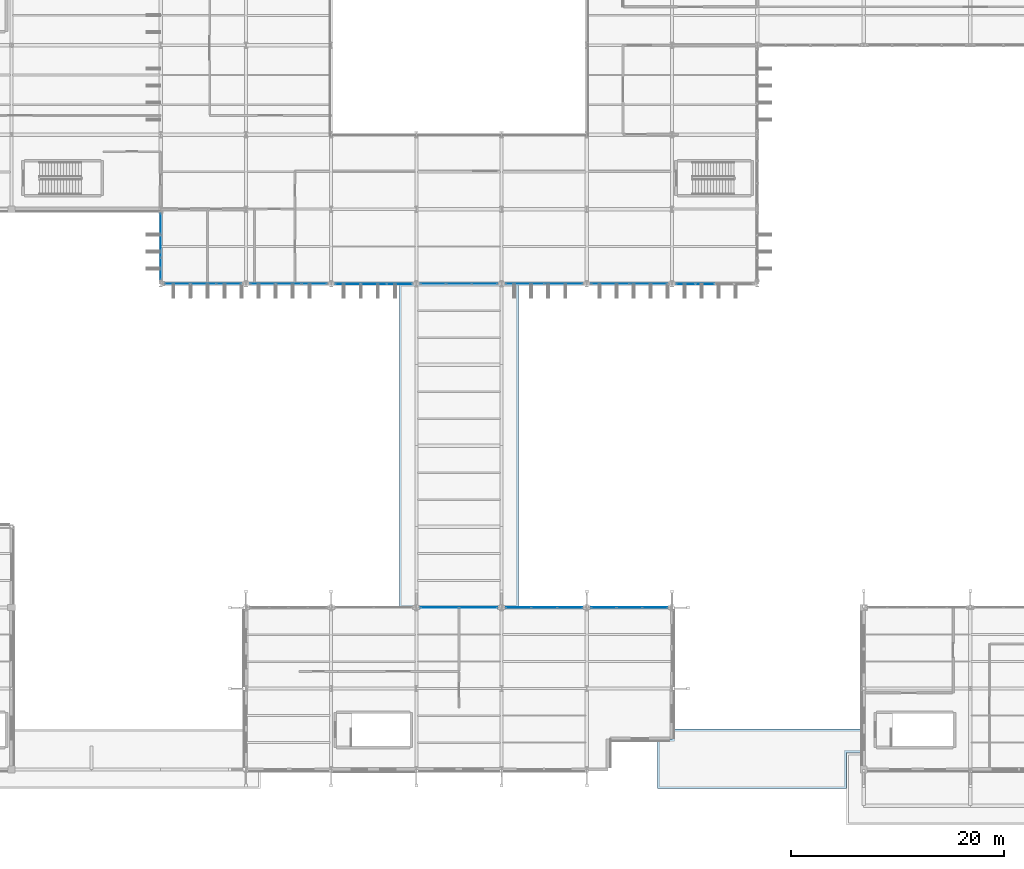
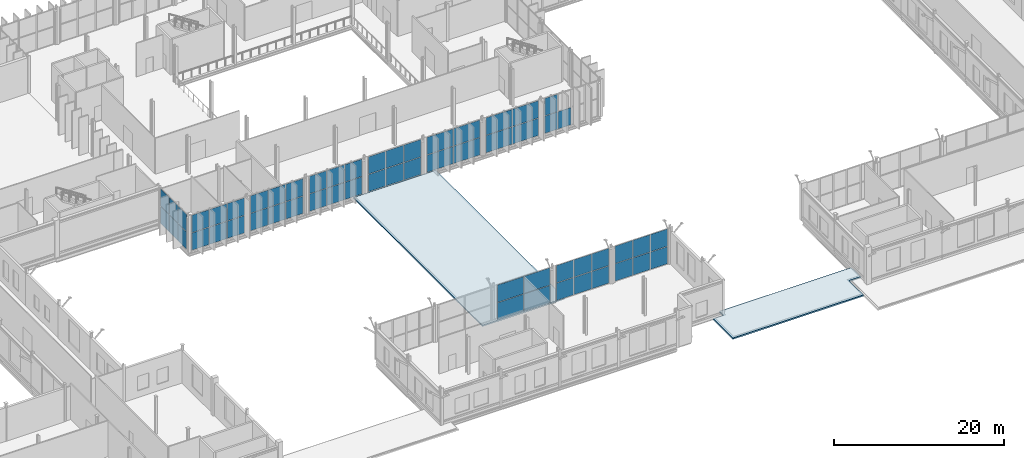
# One storey, part 100 of 147: 57 plates, 2 slabs, 11 elements without a shape of their own.
"""IFC4 building model written with IfcOpenShell, lengths in metres."""

from ifc_helpers import new_model, si_unit, direction, frame, origin, origin_2d, place, context, subcontext, project, spatial, polyline, rectangle, outline, extrude, material, layer, layer_set, type_object, element, aggregate, save


model = new_model("IFC4")

# Units and contexts
model_context = context("Model", 3, precision=1e-05, world=origin(), true_north=direction((0.0, 1.0)))
body_context = subcontext(model_context, "Body", "Model", "MODEL_VIEW")
ifc_project = project(units=[si_unit("LENGTHUNIT", "METRE"), si_unit("AREAUNIT", "SQUARE_METRE"), si_unit("VOLUMEUNIT", "CUBIC_METRE"), si_unit("PLANEANGLEUNIT", "RADIAN"), si_unit("MASSUNIT", "GRAM", prefix="KILO")], contexts=[model_context])

# Site, building, storey
site_placement = place(None, origin())
site = spatial("IfcSite", under=ifc_project, at=site_placement, CompositionType="ELEMENT")
building_placement = place(site_placement, origin())
building = spatial("IfcBuilding", under=site, at=building_placement, Name="Vekula Escarpment Museum", CompositionType="ELEMENT")
storey_placement = place(building_placement, frame((0.0, 0.0, 7.800048828125)))
storey = spatial("IfcBuildingStorey", under=building, at=storey_placement, Name="L02", CompositionType="ELEMENT", Elevation=7.800048828125)

# Curtain wall, plates
ifc_material_1 = material(Name="Aluminium thermally broken framing", Category="aluminium")
ifc_layer_1 = layer(ifc_material_1, 0.159912109375)
ifc_layer_set_1 = layer_set([ifc_layer_1], Name="Aluminium thermally broken framing")
curtain_wall_type_1 = type_object("IfcCurtainWallType", Name="CW-SYS-02", PredefinedType="NOTDEFINED", material=ifc_layer_set_1)
curtain_wall_1_placement = place(storey_placement, origin())
curtain_wall_1 = element("IfcCurtainWall", 1, at=curtain_wall_1_placement, inside=storey, type_object=curtain_wall_type_1, Name="Curtain Wall CW-L02-052", PredefinedType="NOTDEFINED")
ifc_material_2 = material(Name="Double solar-control low-E glass", Category="glass")
ifc_layer_2 = layer(ifc_material_2, 0.028076171875)
ifc_layer_set_2 = layer_set([ifc_layer_2], Name="Double solar-control low-E glass")
plate_type_1 = type_object("IfcPlateType", Name="CW-PNL-28", PredefinedType="CURTAIN_PANEL", material=ifc_layer_set_2)
plate_1_placement = place(storey_placement, frame((70.0, 51.177001953125, 0.06494140625), z_axis=(0.0, 0.0, 1.0), x_axis=(0.0, -1.0, 0.0)))
plate_1 = element("IfcPlate", 2, at=plate_1_placement, type_object=plate_type_1, Name="CW-02 panel 1.1", PredefinedType="CURTAIN_PANEL", context=body_context, shape_type="SweptSolid", body=[
    extrude(rectangle(XDim=1.995849609375, YDim=0.028076171875, at=origin_2d()), origin(), (0.0, 0.0, 1.0), 2.4775390625),
])
plate_2_placement = place(storey_placement, frame((70.0, 51.177001953125, 2.607421875), z_axis=(0.0, 0.0, 1.0), x_axis=(0.0, -1.0, 0.0)))
plate_2 = element("IfcPlate", 3, at=plate_2_placement, type_object=plate_type_1, Name="CW-02 panel 1.2", PredefinedType="CURTAIN_PANEL", context=body_context, shape_type="SweptSolid", body=[
    extrude(rectangle(XDim=1.995849609375, YDim=0.028076171875, at=origin_2d()), origin(), (0.0, 0.0, 1.0), 2.4775390625),
])
plate_3_placement = place(storey_placement, frame((70.0, 49.10009765625, 0.06494140625), z_axis=(0.0, 0.0, 1.0), x_axis=(0.0, -1.0, 0.0)))
plate_3 = element("IfcPlate", 4, at=plate_3_placement, type_object=plate_type_1, Name="CW-02 panel 2.1", PredefinedType="CURTAIN_PANEL", context=body_context, shape_type="SweptSolid", body=[
    extrude(rectangle(XDim=2.0283203125, YDim=0.028076171875, at=origin_2d()), origin(), (0.0, 0.0, 1.0), 2.4775390625),
])
plate_4_placement = place(storey_placement, frame((70.0, 49.10009765625, 2.607421875), z_axis=(0.0, 0.0, 1.0), x_axis=(0.0, -1.0, 0.0)))
plate_4 = element("IfcPlate", 5, at=plate_4_placement, type_object=plate_type_1, Name="CW-02 panel 2.2", PredefinedType="CURTAIN_PANEL", context=body_context, shape_type="SweptSolid", body=[
    extrude(rectangle(XDim=2.0283203125, YDim=0.028076171875, at=origin_2d()), origin(), (0.0, 0.0, 1.0), 2.4775390625),
])
plate_5_placement = place(storey_placement, frame((70.0, 47.02294921875, 0.06494140625), z_axis=(0.0, 0.0, 1.0), x_axis=(0.0, -1.0, 0.0)))
plate_5 = element("IfcPlate", 6, at=plate_5_placement, type_object=plate_type_1, Name="CW-02 panel 3.1", PredefinedType="CURTAIN_PANEL", context=body_context, shape_type="SweptSolid", body=[
    extrude(rectangle(XDim=1.995849609375, YDim=0.028076171875, at=origin_2d()), origin(), (0.0, 0.0, 1.0), 2.4775390625),
])
plate_6_placement = place(storey_placement, frame((70.0, 47.02294921875, 2.607421875), z_axis=(0.0, 0.0, 1.0), x_axis=(0.0, -1.0, 0.0)))
plate_6 = element("IfcPlate", 7, at=plate_6_placement, type_object=plate_type_1, Name="CW-02 panel 3.2", PredefinedType="CURTAIN_PANEL", context=body_context, shape_type="SweptSolid", body=[
    extrude(rectangle(XDim=1.995849609375, YDim=0.028076171875, at=origin_2d()), origin(), (0.0, 0.0, 1.0), 2.4775390625),
])
aggregate(curtain_wall_1, [plate_1, plate_2, plate_3, plate_4, plate_5, plate_6])

ifc_material_3 = material(Name="Aluminium thermally broken framing", Category="aluminium")
ifc_layer_3 = layer(ifc_material_3, 0.139892578125)
ifc_layer_set_3 = layer_set([ifc_layer_3], Name="Aluminium thermally broken framing")
curtain_wall_type_2 = type_object("IfcCurtainWallType", Name="CW-SYS-06", PredefinedType="NOTDEFINED", material=ifc_layer_set_3)
curtain_wall_2_placement = place(storey_placement, origin())
curtain_wall_2 = element("IfcCurtainWall", 8, at=curtain_wall_2_placement, inside=storey, type_object=curtain_wall_type_2, Name="Curtain Wall CW-L02-056", PredefinedType="NOTDEFINED")
plate_7_placement = place(storey_placement, frame((95.589599609375, 45.60009765625, 0.06494140625), z_axis=(0.0, 0.0, 1.0), x_axis=(1.0, 0.0, 0.0)))
plate_7 = element("IfcPlate", 9, at=plate_7_placement, type_object=plate_type_1, Name="CW-06 panel 1.1", PredefinedType="CURTAIN_PANEL", context=body_context, shape_type="SweptSolid", body=[
    extrude(rectangle(XDim=2.3291015625, YDim=0.028076171875, at=origin_2d()), origin(), (0.0, 0.0, 1.0), 2.4775390625),
])
plate_8_placement = place(storey_placement, frame((95.589599609375, 45.60009765625, 2.607421875), z_axis=(0.0, 0.0, 1.0), x_axis=(1.0, 0.0, 0.0)))
plate_8 = element("IfcPlate", 10, at=plate_8_placement, type_object=plate_type_1, Name="CW-06 panel 1.2", PredefinedType="CURTAIN_PANEL", context=body_context, shape_type="SweptSolid", body=[
    extrude(rectangle(XDim=2.3291015625, YDim=0.028076171875, at=origin_2d()), origin(), (0.0, 0.0, 1.0), 2.4775390625),
])
plate_9_placement = place(storey_placement, frame((98.0, 45.60009765625, 0.06494140625), z_axis=(0.0, 0.0, 1.0), x_axis=(1.0, 0.0, 0.0)))
plate_9 = element("IfcPlate", 11, at=plate_9_placement, type_object=plate_type_1, Name="CW-06 panel 2.1", PredefinedType="CURTAIN_PANEL", context=body_context, shape_type="SweptSolid", body=[
    extrude(rectangle(XDim=2.361572265625, YDim=0.028076171875, at=origin_2d()), origin(), (0.0, 0.0, 1.0), 2.4775390625),
])
plate_10_placement = place(storey_placement, frame((98.0, 45.60009765625, 2.607421875), z_axis=(0.0, 0.0, 1.0), x_axis=(1.0, 0.0, 0.0)))
plate_10 = element("IfcPlate", 12, at=plate_10_placement, type_object=plate_type_1, Name="CW-06 panel 2.2", PredefinedType="CURTAIN_PANEL", context=body_context, shape_type="SweptSolid", body=[
    extrude(rectangle(XDim=2.361572265625, YDim=0.028076171875, at=origin_2d()), origin(), (0.0, 0.0, 1.0), 2.4775390625),
])
plate_11_placement = place(storey_placement, frame((100.410400390625, 45.60009765625, 0.06494140625), z_axis=(0.0, 0.0, 1.0), x_axis=(1.0, 0.0, 0.0)))
plate_11 = element("IfcPlate", 13, at=plate_11_placement, type_object=plate_type_1, Name="CW-06 panel 3.1", PredefinedType="CURTAIN_PANEL", context=body_context, shape_type="SweptSolid", body=[
    extrude(rectangle(XDim=2.3291015625, YDim=0.028076171875, at=origin_2d()), origin(), (0.0, 0.0, 1.0), 2.4775390625),
])
plate_12_placement = place(storey_placement, frame((100.410400390625, 45.60009765625, 2.607421875), z_axis=(0.0, 0.0, 1.0), x_axis=(1.0, 0.0, 0.0)))
plate_12 = element("IfcPlate", 14, at=plate_12_placement, type_object=plate_type_1, Name="CW-06 panel 3.2", PredefinedType="CURTAIN_PANEL", context=body_context, shape_type="SweptSolid", body=[
    extrude(rectangle(XDim=2.3291015625, YDim=0.028076171875, at=origin_2d()), origin(), (0.0, 0.0, 1.0), 2.4775390625),
])
aggregate(curtain_wall_2, [plate_7, plate_8, plate_9, plate_10, plate_11, plate_12])

curtain_wall_3_placement = place(storey_placement, origin())
curtain_wall_3 = element("IfcCurtainWall", 15, at=curtain_wall_3_placement, inside=storey, type_object=curtain_wall_type_2, Name="Curtain Wall CW-L02-096", PredefinedType="NOTDEFINED")
plate_13_placement = place(storey_placement, frame((108.410400390625, 15.199951171875, 0.06494140625), z_axis=(0.0, 0.0, 1.0), x_axis=(-1.0, 0.0, 0.0)))
plate_13 = element("IfcPlate", 16, at=plate_13_placement, type_object=plate_type_1, Name="CW-06 panel 1.1", PredefinedType="CURTAIN_PANEL", context=body_context, shape_type="SweptSolid", body=[
    extrude(rectangle(XDim=2.3291015625, YDim=0.028076171875, at=origin_2d()), origin(), (0.0, 0.0, 1.0), 2.4775390625),
])
plate_14_placement = place(storey_placement, frame((108.410400390625, 15.199951171875, 2.607421875), z_axis=(0.0, 0.0, 1.0), x_axis=(-1.0, 0.0, 0.0)))
plate_14 = element("IfcPlate", 17, at=plate_14_placement, type_object=plate_type_1, Name="CW-06 panel 1.2", PredefinedType="CURTAIN_PANEL", context=body_context, shape_type="SweptSolid", body=[
    extrude(rectangle(XDim=2.3291015625, YDim=0.028076171875, at=origin_2d()), origin(), (0.0, 0.0, 1.0), 2.4775390625),
])
plate_15_placement = place(storey_placement, frame((106.0, 15.199951171875, 0.06494140625), z_axis=(0.0, 0.0, 1.0), x_axis=(-1.0, 0.0, 0.0)))
plate_15 = element("IfcPlate", 18, at=plate_15_placement, type_object=plate_type_1, Name="CW-06 panel 2.1", PredefinedType="CURTAIN_PANEL", context=body_context, shape_type="SweptSolid", body=[
    extrude(rectangle(XDim=2.361572265625, YDim=0.028076171875, at=origin_2d()), origin(), (0.0, 0.0, 1.0), 2.4775390625),
])
plate_16_placement = place(storey_placement, frame((106.0, 15.199951171875, 2.607421875), z_axis=(0.0, 0.0, 1.0), x_axis=(-1.0, 0.0, 0.0)))
plate_16 = element("IfcPlate", 19, at=plate_16_placement, type_object=plate_type_1, Name="CW-06 panel 2.2", PredefinedType="CURTAIN_PANEL", context=body_context, shape_type="SweptSolid", body=[
    extrude(rectangle(XDim=2.361572265625, YDim=0.028076171875, at=origin_2d()), origin(), (0.0, 0.0, 1.0), 2.4775390625),
])
plate_17_placement = place(storey_placement, frame((103.589599609375, 15.199951171875, 0.06494140625), z_axis=(0.0, 0.0, 1.0), x_axis=(-1.0, 0.0, 0.0)))
plate_17 = element("IfcPlate", 20, at=plate_17_placement, type_object=plate_type_1, Name="CW-06 panel 3.1", PredefinedType="CURTAIN_PANEL", context=body_context, shape_type="SweptSolid", body=[
    extrude(rectangle(XDim=2.3291015625, YDim=0.028076171875, at=origin_2d()), origin(), (0.0, 0.0, 1.0), 2.4775390625),
])
plate_18_placement = place(storey_placement, frame((103.589599609375, 15.199951171875, 2.607421875), z_axis=(0.0, 0.0, 1.0), x_axis=(-1.0, 0.0, 0.0)))
plate_18 = element("IfcPlate", 21, at=plate_18_placement, type_object=plate_type_1, Name="CW-06 panel 3.2", PredefinedType="CURTAIN_PANEL", context=body_context, shape_type="SweptSolid", body=[
    extrude(rectangle(XDim=2.3291015625, YDim=0.028076171875, at=origin_2d()), origin(), (0.0, 0.0, 1.0), 2.4775390625),
])
aggregate(curtain_wall_3, [plate_13, plate_14, plate_15, plate_16, plate_17, plate_18])

ifc_material_4 = material(Name="Aluminium thermally broken framing", Category="aluminium")
ifc_layer_4 = layer(ifc_material_4, 0.199951171875)
ifc_layer_set_4 = layer_set([ifc_layer_4], Name="Aluminium thermally broken framing")
curtain_wall_type_3 = type_object("IfcCurtainWallType", Name="CW-SYS-03", PredefinedType="NOTDEFINED", material=ifc_layer_set_4)
curtain_wall_4_placement = place(storey_placement, origin())
curtain_wall_4 = element("IfcCurtainWall", 22, at=curtain_wall_4_placement, inside=storey, type_object=curtain_wall_type_3, Name="Curtain Wall CW-L02-053", PredefinedType="NOTDEFINED")
ifc_material_5 = material(Name="Acoustic laminated double low-E glass", Category="glass")
ifc_layer_5 = layer(ifc_material_5, 0.031982421875)
ifc_layer_set_5 = layer_set([ifc_layer_5], Name="Acoustic laminated double low-E glass")
plate_type_2 = type_object("IfcPlateType", Name="CW-PNL-32", PredefinedType="CURTAIN_PANEL", material=ifc_layer_set_5)
plate_19_placement = place(storey_placement, frame((71.589599609375, 45.60009765625, 0.06494140625), z_axis=(0.0, 0.0, 1.0), x_axis=(1.0, 0.0, 0.0)))
plate_19 = element("IfcPlate", 23, at=plate_19_placement, type_object=plate_type_2, Name="CW-03 panel 1.1", PredefinedType="CURTAIN_PANEL", context=body_context, shape_type="SweptSolid", body=[
    extrude(rectangle(XDim=2.3291015625, YDim=0.031982421875, at=origin_2d()), origin(), (0.0, 0.0, 1.0), 2.4775390625),
])
plate_20_placement = place(storey_placement, frame((71.589599609375, 45.60009765625, 2.607421875), z_axis=(0.0, 0.0, 1.0), x_axis=(1.0, 0.0, 0.0)))
plate_20 = element("IfcPlate", 24, at=plate_20_placement, type_object=plate_type_2, Name="CW-03 panel 1.2", PredefinedType="CURTAIN_PANEL", context=body_context, shape_type="SweptSolid", body=[
    extrude(rectangle(XDim=2.3291015625, YDim=0.031982421875, at=origin_2d()), origin(), (0.0, 0.0, 1.0), 2.4775390625),
])
plate_21_placement = place(storey_placement, frame((74.0, 45.60009765625, 0.06494140625), z_axis=(0.0, 0.0, 1.0), x_axis=(1.0, 0.0, 0.0)))
plate_21 = element("IfcPlate", 25, at=plate_21_placement, type_object=plate_type_2, Name="CW-03 panel 2.1", PredefinedType="CURTAIN_PANEL", context=body_context, shape_type="SweptSolid", body=[
    extrude(rectangle(XDim=2.361572265625, YDim=0.031982421875, at=origin_2d()), origin(), (0.0, 0.0, 1.0), 2.4775390625),
])
plate_22_placement = place(storey_placement, frame((74.0, 45.60009765625, 2.607421875), z_axis=(0.0, 0.0, 1.0), x_axis=(1.0, 0.0, 0.0)))
plate_22 = element("IfcPlate", 26, at=plate_22_placement, type_object=plate_type_2, Name="CW-03 panel 2.2", PredefinedType="CURTAIN_PANEL", context=body_context, shape_type="SweptSolid", body=[
    extrude(rectangle(XDim=2.361572265625, YDim=0.031982421875, at=origin_2d()), origin(), (0.0, 0.0, 1.0), 2.4775390625),
])
plate_23_placement = place(storey_placement, frame((76.410400390625, 45.60009765625, 0.06494140625), z_axis=(0.0, 0.0, 1.0), x_axis=(1.0, 0.0, 0.0)))
plate_23 = element("IfcPlate", 27, at=plate_23_placement, type_object=plate_type_2, Name="CW-03 panel 3.1", PredefinedType="CURTAIN_PANEL", context=body_context, shape_type="SweptSolid", body=[
    extrude(rectangle(XDim=2.3291015625, YDim=0.031982421875, at=origin_2d()), origin(), (0.0, 0.0, 1.0), 2.4775390625),
])
plate_24_placement = place(storey_placement, frame((76.410400390625, 45.60009765625, 2.607421875), z_axis=(0.0, 0.0, 1.0), x_axis=(1.0, 0.0, 0.0)))
plate_24 = element("IfcPlate", 28, at=plate_24_placement, type_object=plate_type_2, Name="CW-03 panel 3.2", PredefinedType="CURTAIN_PANEL", context=body_context, shape_type="SweptSolid", body=[
    extrude(rectangle(XDim=2.3291015625, YDim=0.031982421875, at=origin_2d()), origin(), (0.0, 0.0, 1.0), 2.4775390625),
])
aggregate(curtain_wall_4, [plate_19, plate_20, plate_21, plate_22, plate_23, plate_24])

ifc_material_6 = material(Name="Aluminium thermally broken framing", Category="aluminium")
ifc_layer_6 = layer(ifc_material_6, 0.179931640625)
ifc_layer_set_6 = layer_set([ifc_layer_6], Name="Aluminium thermally broken framing")
curtain_wall_type_4 = type_object("IfcCurtainWallType", Name="CW-SYS-07", PredefinedType="NOTDEFINED", material=ifc_layer_set_6)
curtain_wall_5_placement = place(storey_placement, origin())
curtain_wall_5 = element("IfcCurtainWall", 29, at=curtain_wall_5_placement, inside=storey, type_object=curtain_wall_type_4, Name="Curtain Wall CW-L02-057", PredefinedType="NOTDEFINED")
plate_25_placement = place(storey_placement, frame((104.1962890625, 45.60009765625, 0.06494140625), z_axis=(0.0, 0.0, 1.0), x_axis=(1.0, 0.0, 0.0)))
plate_25 = element("IfcPlate", 30, at=plate_25_placement, type_object=plate_type_2, Name="CW-07 panel 1.1", PredefinedType="CURTAIN_PANEL", context=body_context, shape_type="SweptSolid", body=[
    extrude(rectangle(XDim=3.54248046875, YDim=0.031982421875, at=origin_2d()), origin(), (0.0, 0.0, 1.0), 2.4775390625),
])
plate_26_placement = place(storey_placement, frame((104.1962890625, 45.60009765625, 2.607421875), z_axis=(0.0, 0.0, 1.0), x_axis=(1.0, 0.0, 0.0)))
plate_26 = element("IfcPlate", 31, at=plate_26_placement, type_object=plate_type_2, Name="CW-07 panel 1.2", PredefinedType="CURTAIN_PANEL", context=body_context, shape_type="SweptSolid", body=[
    extrude(rectangle(XDim=3.54248046875, YDim=0.031982421875, at=origin_2d()), origin(), (0.0, 0.0, 1.0), 2.4775390625),
])
plate_27_placement = place(storey_placement, frame((107.8037109375, 45.60009765625, 0.06494140625), z_axis=(0.0, 0.0, 1.0), x_axis=(1.0, 0.0, 0.0)))
plate_27 = element("IfcPlate", 32, at=plate_27_placement, type_object=plate_type_2, Name="CW-07 panel 2.1", PredefinedType="CURTAIN_PANEL", context=body_context, shape_type="SweptSolid", body=[
    extrude(rectangle(XDim=3.54248046875, YDim=0.031982421875, at=origin_2d()), origin(), (0.0, 0.0, 1.0), 2.4775390625),
])
plate_28_placement = place(storey_placement, frame((107.8037109375, 45.60009765625, 2.607421875), z_axis=(0.0, 0.0, 1.0), x_axis=(1.0, 0.0, 0.0)))
plate_28 = element("IfcPlate", 33, at=plate_28_placement, type_object=plate_type_2, Name="CW-07 panel 2.2", PredefinedType="CURTAIN_PANEL", context=body_context, shape_type="SweptSolid", body=[
    extrude(rectangle(XDim=3.54248046875, YDim=0.031982421875, at=origin_2d()), origin(), (0.0, 0.0, 1.0), 2.4775390625),
])
aggregate(curtain_wall_5, [plate_25, plate_26, plate_27, plate_28])

curtain_wall_6_placement = place(storey_placement, origin())
curtain_wall_6 = element("IfcCurtainWall", 34, at=curtain_wall_6_placement, inside=storey, type_object=curtain_wall_type_4, Name="Curtain Wall CW-L02-097", PredefinedType="NOTDEFINED")
plate_29_placement = place(storey_placement, frame((99.8037109375, 15.199951171875, 0.06494140625), z_axis=(0.0, 0.0, 1.0), x_axis=(-1.0, 0.0, 0.0)))
plate_29 = element("IfcPlate", 35, at=plate_29_placement, type_object=plate_type_2, Name="CW-07 panel 1.1", PredefinedType="CURTAIN_PANEL", context=body_context, shape_type="SweptSolid", body=[
    extrude(rectangle(XDim=3.54248046875, YDim=0.031982421875, at=origin_2d()), origin(), (0.0, 0.0, 1.0), 2.4775390625),
])
plate_30_placement = place(storey_placement, frame((99.8037109375, 15.199951171875, 2.607421875), z_axis=(0.0, 0.0, 1.0), x_axis=(-1.0, 0.0, 0.0)))
plate_30 = element("IfcPlate", 36, at=plate_30_placement, type_object=plate_type_2, Name="CW-07 panel 1.2", PredefinedType="CURTAIN_PANEL", context=body_context, shape_type="SweptSolid", body=[
    extrude(rectangle(XDim=3.54248046875, YDim=0.031982421875, at=origin_2d()), origin(), (0.0, 0.0, 1.0), 2.4775390625),
])
plate_31_placement = place(storey_placement, frame((96.1962890625, 15.199951171875, 0.06494140625), z_axis=(0.0, 0.0, 1.0), x_axis=(-1.0, 0.0, 0.0)))
plate_31 = element("IfcPlate", 37, at=plate_31_placement, type_object=plate_type_2, Name="CW-07 panel 2.1", PredefinedType="CURTAIN_PANEL", context=body_context, shape_type="SweptSolid", body=[
    extrude(rectangle(XDim=3.54248046875, YDim=0.031982421875, at=origin_2d()), origin(), (0.0, 0.0, 1.0), 2.4775390625),
])
plate_32_placement = place(storey_placement, frame((96.1962890625, 15.199951171875, 2.607421875), z_axis=(0.0, 0.0, 1.0), x_axis=(-1.0, 0.0, 0.0)))
plate_32 = element("IfcPlate", 38, at=plate_32_placement, type_object=plate_type_2, Name="CW-07 panel 2.2", PredefinedType="CURTAIN_PANEL", context=body_context, shape_type="SweptSolid", body=[
    extrude(rectangle(XDim=3.54248046875, YDim=0.031982421875, at=origin_2d()), origin(), (0.0, 0.0, 1.0), 2.4775390625),
])
aggregate(curtain_wall_6, [plate_29, plate_30, plate_31, plate_32])

ifc_material_7 = material(Name="Aluminium thermally broken framing", Category="aluminium")
ifc_layer_7 = layer(ifc_material_7, 0.199951171875)
ifc_layer_set_7 = layer_set([ifc_layer_7], Name="Aluminium thermally broken framing")
curtain_wall_type_5 = type_object("IfcCurtainWallType", Name="CW-SYS-04", PredefinedType="NOTDEFINED", material=ifc_layer_set_7)
curtain_wall_7_placement = place(storey_placement, origin())
curtain_wall_7 = element("IfcCurtainWall", 39, at=curtain_wall_7_placement, inside=storey, type_object=curtain_wall_type_5, Name="Curtain Wall CW-L02-054", PredefinedType="NOTDEFINED")
ifc_material_8 = material(Name="Triple UV-filtered museum gallery glass", Category="glass")
ifc_layer_8 = layer(ifc_material_8, 0.035888671875)
ifc_layer_set_8 = layer_set([ifc_layer_8], Name="Triple UV-filtered museum gallery glass")
plate_type_3 = type_object("IfcPlateType", Name="CW-PNL-36", PredefinedType="CURTAIN_PANEL", material=ifc_layer_set_8)
plate_33_placement = place(storey_placement, frame((79.589599609375, 45.60009765625, 0.06494140625), z_axis=(0.0, 0.0, 1.0), x_axis=(1.0, 0.0, 0.0)))
plate_33 = element("IfcPlate", 40, at=plate_33_placement, type_object=plate_type_3, Name="CW-04 panel 1.1", PredefinedType="CURTAIN_PANEL", context=body_context, shape_type="SweptSolid", body=[
    extrude(rectangle(XDim=2.3291015625, YDim=0.035888671875, at=origin_2d()), origin(), (0.0, 0.0, 1.0), 2.4775390625),
])
plate_34_placement = place(storey_placement, frame((79.589599609375, 45.60009765625, 2.607421875), z_axis=(0.0, 0.0, 1.0), x_axis=(1.0, 0.0, 0.0)))
plate_34 = element("IfcPlate", 41, at=plate_34_placement, type_object=plate_type_3, Name="CW-04 panel 1.2", PredefinedType="CURTAIN_PANEL", context=body_context, shape_type="SweptSolid", body=[
    extrude(rectangle(XDim=2.3291015625, YDim=0.035888671875, at=origin_2d()), origin(), (0.0, 0.0, 1.0), 2.4775390625),
])
plate_35_placement = place(storey_placement, frame((82.0, 45.60009765625, 0.06494140625), z_axis=(0.0, 0.0, 1.0), x_axis=(1.0, 0.0, 0.0)))
plate_35 = element("IfcPlate", 42, at=plate_35_placement, type_object=plate_type_3, Name="CW-04 panel 2.1", PredefinedType="CURTAIN_PANEL", context=body_context, shape_type="SweptSolid", body=[
    extrude(rectangle(XDim=2.361572265625, YDim=0.035888671875, at=origin_2d()), origin(), (0.0, 0.0, 1.0), 2.4775390625),
])
plate_36_placement = place(storey_placement, frame((82.0, 45.60009765625, 2.607421875), z_axis=(0.0, 0.0, 1.0), x_axis=(1.0, 0.0, 0.0)))
plate_36 = element("IfcPlate", 43, at=plate_36_placement, type_object=plate_type_3, Name="CW-04 panel 2.2", PredefinedType="CURTAIN_PANEL", context=body_context, shape_type="SweptSolid", body=[
    extrude(rectangle(XDim=2.361572265625, YDim=0.035888671875, at=origin_2d()), origin(), (0.0, 0.0, 1.0), 2.4775390625),
])
plate_37_placement = place(storey_placement, frame((84.410400390625, 45.60009765625, 0.06494140625), z_axis=(0.0, 0.0, 1.0), x_axis=(1.0, 0.0, 0.0)))
plate_37 = element("IfcPlate", 44, at=plate_37_placement, type_object=plate_type_3, Name="CW-04 panel 3.1", PredefinedType="CURTAIN_PANEL", context=body_context, shape_type="SweptSolid", body=[
    extrude(rectangle(XDim=2.3291015625, YDim=0.035888671875, at=origin_2d()), origin(), (0.0, 0.0, 1.0), 2.4775390625),
])
plate_38_placement = place(storey_placement, frame((84.410400390625, 45.60009765625, 2.607421875), z_axis=(0.0, 0.0, 1.0), x_axis=(1.0, 0.0, 0.0)))
plate_38 = element("IfcPlate", 45, at=plate_38_placement, type_object=plate_type_3, Name="CW-04 panel 3.2", PredefinedType="CURTAIN_PANEL", context=body_context, shape_type="SweptSolid", body=[
    extrude(rectangle(XDim=2.3291015625, YDim=0.035888671875, at=origin_2d()), origin(), (0.0, 0.0, 1.0), 2.4775390625),
])
aggregate(curtain_wall_7, [plate_33, plate_34, plate_35, plate_36, plate_37, plate_38])

ifc_material_9 = material(Name="Aluminium thermally broken framing", Category="aluminium")
ifc_layer_9 = layer(ifc_material_9, 0.179931640625)
ifc_layer_set_9 = layer_set([ifc_layer_9], Name="Aluminium thermally broken framing")
curtain_wall_type_6 = type_object("IfcCurtainWallType", Name="CW-SYS-08", PredefinedType="NOTDEFINED", material=ifc_layer_set_9)
curtain_wall_8_placement = place(storey_placement, origin())
curtain_wall_8 = element("IfcCurtainWall", 46, at=curtain_wall_8_placement, inside=storey, type_object=curtain_wall_type_6, Name="Curtain Wall CW-L02-058", PredefinedType="NOTDEFINED")
plate_39_placement = place(storey_placement, frame((112.1962890625, 45.60009765625, 0.06494140625), z_axis=(0.0, 0.0, 1.0), x_axis=(1.0, 0.0, 0.0)))
plate_39 = element("IfcPlate", 47, at=plate_39_placement, type_object=plate_type_3, Name="CW-08 panel 1.1", PredefinedType="CURTAIN_PANEL", context=body_context, shape_type="SweptSolid", body=[
    extrude(rectangle(XDim=3.54248046875, YDim=0.035888671875, at=origin_2d()), origin(), (0.0, 0.0, 1.0), 2.4775390625),
])
plate_40_placement = place(storey_placement, frame((112.1962890625, 45.60009765625, 2.607421875), z_axis=(0.0, 0.0, 1.0), x_axis=(1.0, 0.0, 0.0)))
plate_40 = element("IfcPlate", 48, at=plate_40_placement, type_object=plate_type_3, Name="CW-08 panel 1.2", PredefinedType="CURTAIN_PANEL", context=body_context, shape_type="SweptSolid", body=[
    extrude(rectangle(XDim=3.54248046875, YDim=0.035888671875, at=origin_2d()), origin(), (0.0, 0.0, 1.0), 2.4775390625),
])
plate_41_placement = place(storey_placement, frame((115.8037109375, 45.60009765625, 0.06494140625), z_axis=(0.0, 0.0, 1.0), x_axis=(1.0, 0.0, 0.0)))
plate_41 = element("IfcPlate", 49, at=plate_41_placement, type_object=plate_type_3, Name="CW-08 panel 2.1", PredefinedType="CURTAIN_PANEL", context=body_context, shape_type="SweptSolid", body=[
    extrude(rectangle(XDim=3.54248046875, YDim=0.035888671875, at=origin_2d()), origin(), (0.0, 0.0, 1.0), 2.4775390625),
])
plate_42_placement = place(storey_placement, frame((115.8037109375, 45.60009765625, 2.607421875), z_axis=(0.0, 0.0, 1.0), x_axis=(1.0, 0.0, 0.0)))
plate_42 = element("IfcPlate", 50, at=plate_42_placement, type_object=plate_type_3, Name="CW-08 panel 2.2", PredefinedType="CURTAIN_PANEL", context=body_context, shape_type="SweptSolid", body=[
    extrude(rectangle(XDim=3.54248046875, YDim=0.035888671875, at=origin_2d()), origin(), (0.0, 0.0, 1.0), 2.4775390625),
])
aggregate(curtain_wall_8, [plate_39, plate_40, plate_41, plate_42])

ifc_material_10 = material(Name="Aluminium thermally broken framing", Category="aluminium")
ifc_layer_10 = layer(ifc_material_10, 0.159912109375)
ifc_layer_set_10 = layer_set([ifc_layer_10], Name="Aluminium thermally broken framing")
curtain_wall_type_7 = type_object("IfcCurtainWallType", Name="CW-SYS-05", PredefinedType="NOTDEFINED", material=ifc_layer_set_10)
curtain_wall_9_placement = place(storey_placement, origin())
curtain_wall_9 = element("IfcCurtainWall", 51, at=curtain_wall_9_placement, inside=storey, type_object=curtain_wall_type_7, Name="Curtain Wall CW-L02-055", PredefinedType="NOTDEFINED")
ifc_material_11 = material(Name="Insulated bronze spandrel glass panel", Category="glass")
ifc_layer_11 = layer(ifc_material_11, 0.0400390625)
ifc_layer_set_11 = layer_set([ifc_layer_11], Name="Insulated bronze spandrel glass panel")
plate_type_4 = type_object("IfcPlateType", Name="CW-PNL-40", PredefinedType="CURTAIN_PANEL", material=ifc_layer_set_11)
plate_43_placement = place(storey_placement, frame((87.589599609375, 45.60009765625, 0.06494140625), z_axis=(0.0, 0.0, 1.0), x_axis=(1.0, 0.0, 0.0)))
plate_43 = element("IfcPlate", 52, at=plate_43_placement, type_object=plate_type_4, Name="CW-05 panel 1.1", PredefinedType="CURTAIN_PANEL", context=body_context, shape_type="SweptSolid", body=[
    extrude(rectangle(XDim=2.3291015625, YDim=0.0400390625, at=origin_2d()), origin(), (0.0, 0.0, 1.0), 2.4775390625),
])
plate_44_placement = place(storey_placement, frame((87.589599609375, 45.60009765625, 2.607421875), z_axis=(0.0, 0.0, 1.0), x_axis=(1.0, 0.0, 0.0)))
plate_44 = element("IfcPlate", 53, at=plate_44_placement, type_object=plate_type_4, Name="CW-05 panel 1.2", PredefinedType="CURTAIN_PANEL", context=body_context, shape_type="SweptSolid", body=[
    extrude(rectangle(XDim=2.3291015625, YDim=0.0400390625, at=origin_2d()), origin(), (0.0, 0.0, 1.0), 2.4775390625),
])
plate_45_placement = place(storey_placement, frame((90.0, 45.60009765625, 0.06494140625), z_axis=(0.0, 0.0, 1.0), x_axis=(1.0, 0.0, 0.0)))
plate_45 = element("IfcPlate", 54, at=plate_45_placement, type_object=plate_type_4, Name="CW-05 panel 2.1", PredefinedType="CURTAIN_PANEL", context=body_context, shape_type="SweptSolid", body=[
    extrude(rectangle(XDim=2.361572265625, YDim=0.0400390625, at=origin_2d()), origin(), (0.0, 0.0, 1.0), 2.4775390625),
])
plate_46_placement = place(storey_placement, frame((90.0, 45.60009765625, 2.607421875), z_axis=(0.0, 0.0, 1.0), x_axis=(1.0, 0.0, 0.0)))
plate_46 = element("IfcPlate", 55, at=plate_46_placement, type_object=plate_type_4, Name="CW-05 panel 2.2", PredefinedType="CURTAIN_PANEL", context=body_context, shape_type="SweptSolid", body=[
    extrude(rectangle(XDim=2.361572265625, YDim=0.0400390625, at=origin_2d()), origin(), (0.0, 0.0, 1.0), 2.4775390625),
])
plate_47_placement = place(storey_placement, frame((92.410400390625, 45.60009765625, 0.06494140625), z_axis=(0.0, 0.0, 1.0), x_axis=(1.0, 0.0, 0.0)))
plate_47 = element("IfcPlate", 56, at=plate_47_placement, type_object=plate_type_4, Name="CW-05 panel 3.1", PredefinedType="CURTAIN_PANEL", context=body_context, shape_type="SweptSolid", body=[
    extrude(rectangle(XDim=2.3291015625, YDim=0.0400390625, at=origin_2d()), origin(), (0.0, 0.0, 1.0), 2.4775390625),
])
plate_48_placement = place(storey_placement, frame((92.410400390625, 45.60009765625, 2.607421875), z_axis=(0.0, 0.0, 1.0), x_axis=(1.0, 0.0, 0.0)))
plate_48 = element("IfcPlate", 57, at=plate_48_placement, type_object=plate_type_4, Name="CW-05 panel 3.2", PredefinedType="CURTAIN_PANEL", context=body_context, shape_type="SweptSolid", body=[
    extrude(rectangle(XDim=2.3291015625, YDim=0.0400390625, at=origin_2d()), origin(), (0.0, 0.0, 1.0), 2.4775390625),
])
aggregate(curtain_wall_9, [plate_43, plate_44, plate_45, plate_46, plate_47, plate_48])

ifc_material_12 = material(Name="Aluminium thermally broken framing", Category="aluminium")
ifc_layer_12 = layer(ifc_material_12, 0.14990234375)
ifc_layer_set_12 = layer_set([ifc_layer_12], Name="Aluminium thermally broken framing")
curtain_wall_type_8 = type_object("IfcCurtainWallType", Name="CW-SYS-09", PredefinedType="NOTDEFINED", material=ifc_layer_set_12)
curtain_wall_10_placement = place(storey_placement, origin())
curtain_wall_10 = element("IfcCurtainWall", 58, at=curtain_wall_10_placement, inside=storey, type_object=curtain_wall_type_8, Name="Curtain Wall CW-L02-059", PredefinedType="NOTDEFINED")
plate_49_placement = place(storey_placement, frame((119.2861328125, 45.60009765625, 0.06494140625), z_axis=(0.0, 0.0, 1.0), x_axis=(1.0, 0.0, 0.0)))
plate_49 = element("IfcPlate", 59, at=plate_49_placement, type_object=plate_type_4, Name="CW-09 panel 1.1", PredefinedType="CURTAIN_PANEL", context=body_context, shape_type="SweptSolid", body=[
    extrude(rectangle(XDim=1.722412109375, YDim=0.0400390625, at=origin_2d()), origin(), (0.0, 0.0, 1.0), 2.4775390625),
])
plate_50_placement = place(storey_placement, frame((119.2861328125, 45.60009765625, 2.607421875), z_axis=(0.0, 0.0, 1.0), x_axis=(1.0, 0.0, 0.0)))
plate_50 = element("IfcPlate", 60, at=plate_50_placement, type_object=plate_type_4, Name="CW-09 panel 1.2", PredefinedType="CURTAIN_PANEL", context=body_context, shape_type="SweptSolid", body=[
    extrude(rectangle(XDim=1.722412109375, YDim=0.0400390625, at=origin_2d()), origin(), (0.0, 0.0, 1.0), 2.4775390625),
])
plate_51_placement = place(storey_placement, frame((121.090087890625, 45.60009765625, 0.06494140625), z_axis=(0.0, 0.0, 1.0), x_axis=(1.0, 0.0, 0.0)))
plate_51 = element("IfcPlate", 61, at=plate_51_placement, type_object=plate_type_4, Name="CW-09 panel 2.1", PredefinedType="CURTAIN_PANEL", context=body_context, shape_type="SweptSolid", body=[
    extrude(rectangle(XDim=1.7548828125, YDim=0.0400390625, at=origin_2d()), origin(), (0.0, 0.0, 1.0), 2.4775390625),
])
aggregate(curtain_wall_10, [plate_49, plate_50, plate_51])

curtain_wall_11_placement = place(storey_placement, origin())
curtain_wall_11 = element("IfcCurtainWall", 62, at=curtain_wall_11_placement, inside=storey, type_object=curtain_wall_type_7, Name="Curtain Wall CW-L02-095", PredefinedType="NOTDEFINED")
plate_52_placement = place(storey_placement, frame((116.410400390625, 15.199951171875, 0.06494140625), z_axis=(0.0, 0.0, 1.0), x_axis=(-1.0, 0.0, 0.0)))
plate_52 = element("IfcPlate", 63, at=plate_52_placement, type_object=plate_type_4, Name="CW-05 panel 1.1", PredefinedType="CURTAIN_PANEL", context=body_context, shape_type="SweptSolid", body=[
    extrude(rectangle(XDim=2.3291015625, YDim=0.0400390625, at=origin_2d()), origin(), (0.0, 0.0, 1.0), 2.4775390625),
])
plate_53_placement = place(storey_placement, frame((116.410400390625, 15.199951171875, 2.607421875), z_axis=(0.0, 0.0, 1.0), x_axis=(-1.0, 0.0, 0.0)))
plate_53 = element("IfcPlate", 64, at=plate_53_placement, type_object=plate_type_4, Name="CW-05 panel 1.2", PredefinedType="CURTAIN_PANEL", context=body_context, shape_type="SweptSolid", body=[
    extrude(rectangle(XDim=2.3291015625, YDim=0.0400390625, at=origin_2d()), origin(), (0.0, 0.0, 1.0), 2.4775390625),
])
plate_54_placement = place(storey_placement, frame((114.0, 15.199951171875, 0.06494140625), z_axis=(0.0, 0.0, 1.0), x_axis=(-1.0, 0.0, 0.0)))
plate_54 = element("IfcPlate", 65, at=plate_54_placement, type_object=plate_type_4, Name="CW-05 panel 2.1", PredefinedType="CURTAIN_PANEL", context=body_context, shape_type="SweptSolid", body=[
    extrude(rectangle(XDim=2.361572265625, YDim=0.0400390625, at=origin_2d()), origin(), (0.0, 0.0, 1.0), 2.4775390625),
])
plate_55_placement = place(storey_placement, frame((114.0, 15.199951171875, 2.607421875), z_axis=(0.0, 0.0, 1.0), x_axis=(-1.0, 0.0, 0.0)))
plate_55 = element("IfcPlate", 66, at=plate_55_placement, type_object=plate_type_4, Name="CW-05 panel 2.2", PredefinedType="CURTAIN_PANEL", context=body_context, shape_type="SweptSolid", body=[
    extrude(rectangle(XDim=2.361572265625, YDim=0.0400390625, at=origin_2d()), origin(), (0.0, 0.0, 1.0), 2.4775390625),
])
plate_56_placement = place(storey_placement, frame((111.589599609375, 15.199951171875, 0.06494140625), z_axis=(0.0, 0.0, 1.0), x_axis=(-1.0, 0.0, 0.0)))
plate_56 = element("IfcPlate", 67, at=plate_56_placement, type_object=plate_type_4, Name="CW-05 panel 3.1", PredefinedType="CURTAIN_PANEL", context=body_context, shape_type="SweptSolid", body=[
    extrude(rectangle(XDim=2.3291015625, YDim=0.0400390625, at=origin_2d()), origin(), (0.0, 0.0, 1.0), 2.4775390625),
])
plate_57_placement = place(storey_placement, frame((111.589599609375, 15.199951171875, 2.607421875), z_axis=(0.0, 0.0, 1.0), x_axis=(-1.0, 0.0, 0.0)))
plate_57 = element("IfcPlate", 68, at=plate_57_placement, type_object=plate_type_4, Name="CW-05 panel 3.2", PredefinedType="CURTAIN_PANEL", context=body_context, shape_type="SweptSolid", body=[
    extrude(rectangle(XDim=2.3291015625, YDim=0.0400390625, at=origin_2d()), origin(), (0.0, 0.0, 1.0), 2.4775390625),
])
aggregate(curtain_wall_11, [plate_52, plate_53, plate_54, plate_55, plate_56, plate_57])

# Slabs
ifc_material_13 = material(Name="Concrete C35/45", Category="concrete")
ifc_layer_13 = layer(ifc_material_13, 0.199951171875)
ifc_layer_set_13 = layer_set([ifc_layer_13], Name="Concrete C35/45")
slab_type = type_object("IfcSlabType", Name="SL-ROOF-200", PredefinedType="ROOF", material=ifc_layer_set_13)
slab_1_placement = place(storey_placement, frame((0.0, 0.0, -0.199951171875)))
element("IfcSlab", 69, at=slab_1_placement, inside=storey, type_object=slab_type, Name="Overhanging Eave Roof Slab R-L02-SLK", PredefinedType="ROOF", context=body_context, shape_type="SweptSolid", body=[
    extrude(outline(polyline([(92.39990234375, 45.570068359375), (103.60009765625, 45.570068359375), (103.60009765625, 15.22998046875), (92.39990234375, 15.22998046875), (92.39990234375, 45.570068359375)])), origin(), (0.0, 0.0, 1.0), 0.199951171875),
])
slab_2_placement = place(storey_placement, frame((0.0, 0.0, -0.199951171875)))
element("IfcSlab", 70, at=slab_2_placement, inside=storey, type_object=slab_type, Name="Overhanging Eave Roof Slab R-L02-FORESE", PredefinedType="ROOF", context=body_context, shape_type="SweptSolid", body=[
    extrude(outline(polyline([(116.639892578125, 2.85791015625), (118.030029296875, 2.85791015625), (118.030029296875, 3.800048828125), (135.969970703125, 3.800048828125), (135.969970703125, 1.5849609375), (134.375, 1.5849609375), (134.375, -1.800048828125), (116.639892578125, -1.800048828125), (116.639892578125, 2.85791015625)])), origin(), (0.0, 0.0, 1.0), 0.199951171875),
])

save(model, "model.ifc")
